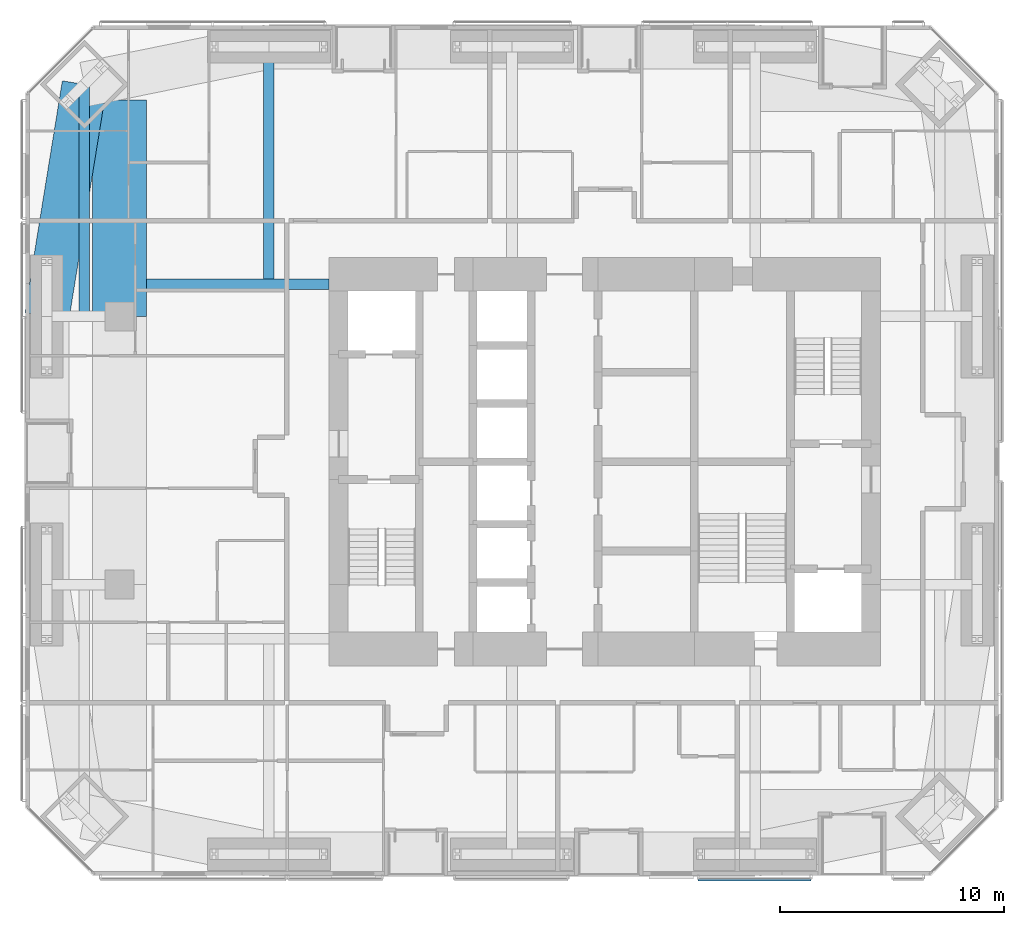
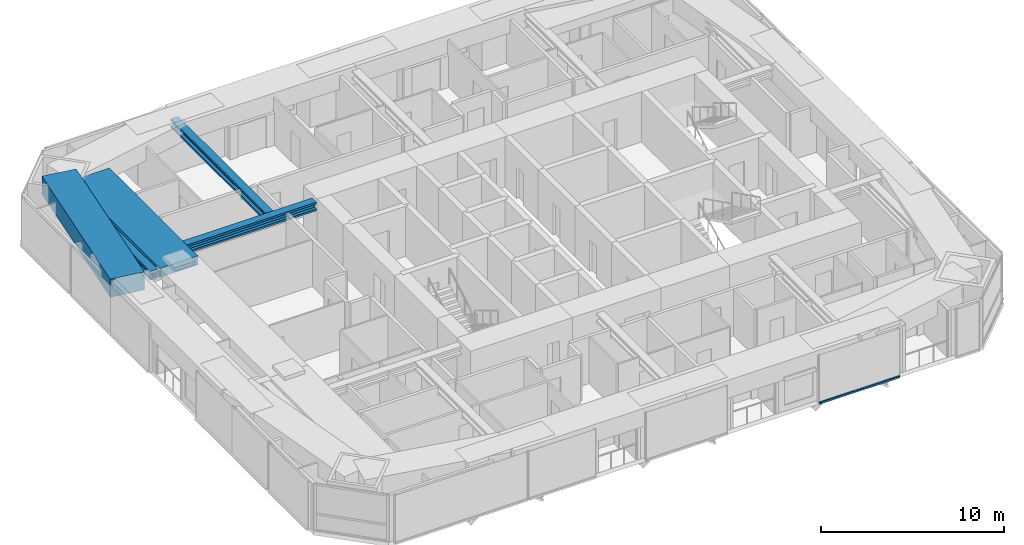
# One storey, part 7 of 23: 5 beams, 1 member, 1 element without a shape of its own.
"""IFC4 building model written with IfcOpenShell, lengths in metres."""

from ifc_helpers import new_model, si_unit, direction, frame, origin, origin_2d, place, context, subcontext, project, spatial, rectangle, i_section, extrude, material, material_profile, profile_set, type_object, element, aggregate, save


model = new_model("IFC4")

# Units and contexts
model_context = context("Model", 3, precision=1e-05, world=origin(), true_north=direction((0.0, 1.0)))
body_context = subcontext(model_context, "Body", "Model", "MODEL_VIEW")
ifc_project = project(units=[si_unit("LENGTHUNIT", "METRE"), si_unit("AREAUNIT", "SQUARE_METRE"), si_unit("VOLUMEUNIT", "CUBIC_METRE"), si_unit("PLANEANGLEUNIT", "RADIAN"), si_unit("MASSUNIT", "GRAM", prefix="KILO")], contexts=[model_context])

# Site, building, storey
site_placement = place(None, origin())
site = spatial("IfcSite", under=ifc_project, at=site_placement, CompositionType="ELEMENT")
building_placement = place(site_placement, origin())
building = spatial("IfcBuilding", under=site, at=building_placement, Name="Jalousie Tower", CompositionType="ELEMENT")
storey_placement = place(building_placement, frame((0.0, 0.0, 84.75)))
storey = spatial("IfcBuildingStorey", under=building, at=storey_placement, Name="L22", CompositionType="ELEMENT", Elevation=84.75)

# Beams
ifc_material_1 = material(Name="Steel ASTM A992 Grade 50", Category="steel")
ifc_material_profile_1 = material_profile(ifc_material_1, i_section(OverallWidth=0.472412109375, OverallDepth=0.5791015625, WebThickness=0.094970703125, FlangeThickness=0.1298828125, at=origin_2d()), Name="W14X808")
ifc_profile_set_1 = profile_set([ifc_material_profile_1], Name="Steel ASTM A992 Grade 50")
beam_type_1 = type_object("IfcBeamType", Name="LEAN COLLECTOR W14X808", PredefinedType="BEAM", material=ifc_profile_set_1)
beam_1_placement = place(storey_placement, frame((11.39990234375, 26.425048828125, 2.8203125), z_axis=(1.0, 0.0, 0.0), x_axis=(0.0, 1.0, 0.0)))
element("IfcBeam", 1, at=beam_1_placement, inside=storey, type_object=beam_type_1, Name="Lean collector under L23", PredefinedType="BEAM", context=body_context, shape_type="SweptSolid", body=[
    extrude(i_section(OverallWidth=0.472412109375, OverallDepth=0.5791015625, WebThickness=0.094970703125, FlangeThickness=0.1298828125, at=origin_2d()), origin(), (0.0, 0.0, 1.0), 8.175048828125),
])
beam_2_placement = place(storey_placement, frame((8.63134765625, 35.36865234375, 2.8203125), z_axis=(0.0, -1.0, 0.0), x_axis=(1.0, 0.0, 0.0)))
element("IfcBeam", 2, at=beam_2_placement, inside=storey, type_object=beam_type_1, Name="Lean collector under L23", PredefinedType="BEAM", context=body_context, shape_type="SweptSolid", body=[
    extrude(i_section(OverallWidth=0.472412109375, OverallDepth=0.5791015625, WebThickness=0.094970703125, FlangeThickness=0.1298828125, at=origin_2d()), origin(), (0.0, 0.0, 1.0), 10.36865234375),
])
beam_3_placement = place(storey_placement, frame((16.875, 37.050048828125, 2.8203125), z_axis=(0.0, -1.0, 0.0), x_axis=(1.0, 0.0, 0.0)))
element("IfcBeam", 3, at=beam_3_placement, inside=storey, type_object=beam_type_1, Name="Lean collector under L23", PredefinedType="BEAM", context=body_context, shape_type="SweptSolid", body=[
    extrude(i_section(OverallWidth=0.472412109375, OverallDepth=0.5791015625, WebThickness=0.094970703125, FlangeThickness=0.1298828125, at=origin_2d()), origin(), (0.0, 0.0, 1.0), 10.625),
])
ifc_material_2 = material(Name="Concrete f'c 40 MPa", Category="concrete")
ifc_material_profile_2 = material_profile(ifc_material_2, rectangle(XDim=2.0, YDim=1.199951171875, at=origin_2d()), Name="RC 2000x1200")
ifc_profile_set_2 = profile_set([ifc_material_profile_2], Name="Concrete f'c 40 MPa")
beam_type_2 = type_object("IfcBeamType", Name="RC BEAM 2000x1200", PredefinedType="BEAM", material=ifc_profile_set_2)
beam_4_placement = place(storey_placement, frame((8.63134765625, 35.36865234375, 2.75), z_axis=(-0.160070546476, -0.987105577003, 0.0), x_axis=(0.987105577003, -0.160070546476, 0.0)))
element("IfcBeam", 4, at=beam_4_placement, inside=storey, type_object=beam_type_2, Name="Edge band beam 12-13 under L23", PredefinedType="BEAM", context=body_context, shape_type="SweptSolid", body=[
    extrude(rectangle(XDim=2.0, YDim=1.199951171875, at=origin_2d()), origin(), (0.0, 0.0, 1.0), 10.504150390625),
])
ifc_material_3 = material(Name="Concrete f'c 40 MPa", Category="concrete")
ifc_material_profile_3 = material_profile(ifc_material_3, rectangle(XDim=2.39990234375, YDim=0.60009765625, at=origin_2d()), Name="RC 2400x600")
ifc_profile_set_3 = profile_set([ifc_material_profile_3], Name="Concrete f'c 40 MPa")
beam_type_3 = type_object("IfcBeamType", Name="RC BEAM 2400x600", PredefinedType="BEAM", material=ifc_profile_set_3)
beam_5_placement = place(storey_placement, frame((10.199951171875, 25.0, 2.81005859375), z_axis=(0.0, 1.0, 0.0), x_axis=(-1.0, 0.0, 0.0)))
element("IfcBeam", 5, at=beam_5_placement, inside=storey, type_object=beam_type_3, Name="Floor band beam under L23", PredefinedType="BEAM", context=body_context, shape_type="SweptSolid", body=[
    extrude(rectangle(XDim=2.39990234375, YDim=0.60009765625, at=origin_2d()), origin(), (0.0, 0.0, 1.0), 9.66796875),
])

# Curtain wall, member
ifc_material_4 = material(Name="Perforated aluminium sheet", Category="aluminium")
curtain_wall_type = type_object("IfcCurtainWallType", Name="SOLAR SCREEN SS-1", PredefinedType="USERDEFINED", material=ifc_material_4)
curtain_wall_placement = place(storey_placement, origin())
curtain_wall = element("IfcCurtainWall", 6, at=curtain_wall_placement, inside=storey, type_object=curtain_wall_type, Name="Solar screen L22", ObjectType="SOLAR SCREEN SS-1", PredefinedType="USERDEFINED")
ifc_material_5 = material(Name="Extruded aluminium screen rail", Category="aluminium")
ifc_material_profile_4 = material_profile(ifc_material_5, rectangle(XDim=0.1015625, YDim=0.1201171875, at=origin_2d()), Name="RAIL 102x120")
ifc_profile_set_4 = profile_set([ifc_material_profile_4], Name="Extruded aluminium screen rail")
member_type = type_object("IfcMemberType", Name="SOLAR SCREEN SS-1 TRANSOM", PredefinedType="USERDEFINED", material=ifc_profile_set_4)
member_placement = place(storey_placement, frame((36.074951171875, -0.1982421875, -0.06005859375), z_axis=(1.0, 0.0, 0.0), x_axis=(0.0, 1.0, 0.0)))
member = element("IfcMember", 7, at=member_placement, type_object=member_type, Name="SS1 rail", ObjectType="TRANSOM", PredefinedType="USERDEFINED", context=body_context, shape_type="SweptSolid", body=[
    extrude(rectangle(XDim=0.1015625, YDim=0.1201171875, at=origin_2d()), origin(), (0.0, 0.0, 1.0), 5.050048828125),
])
aggregate(curtain_wall, [member])

save(model, "model.ifc")
